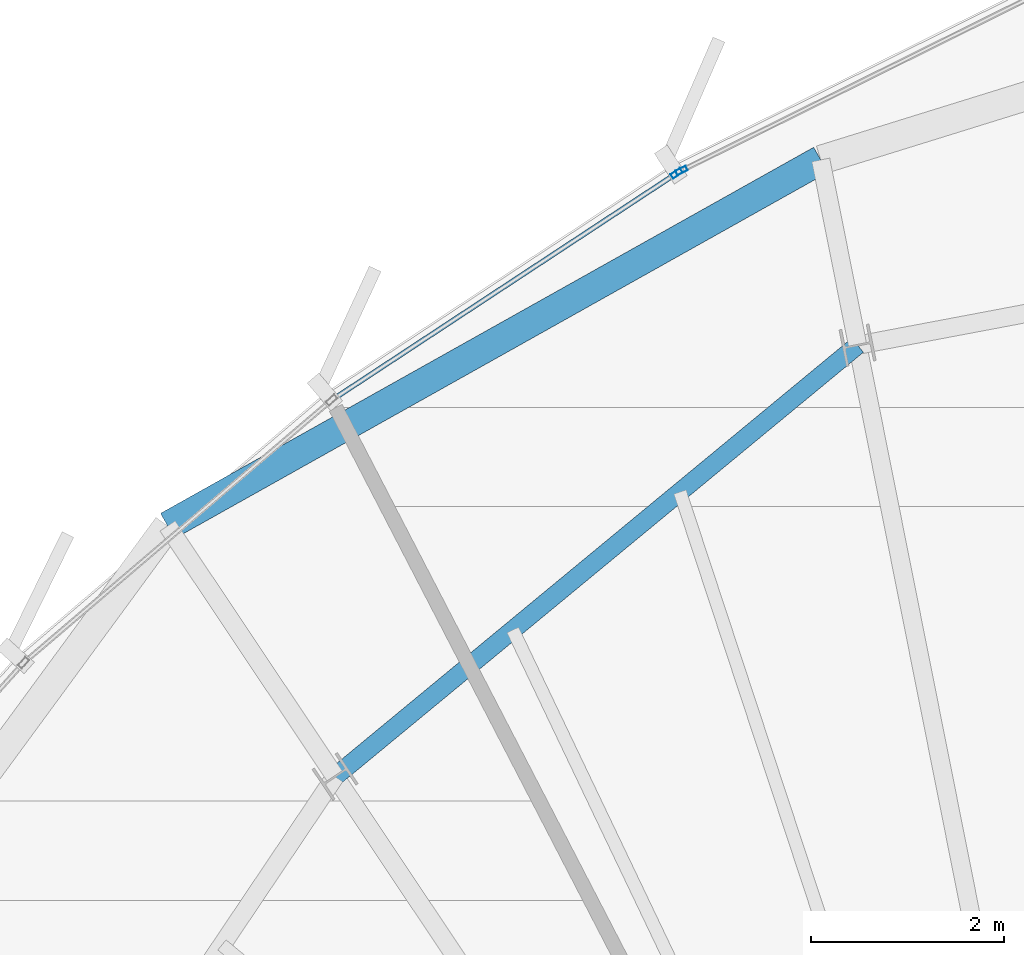
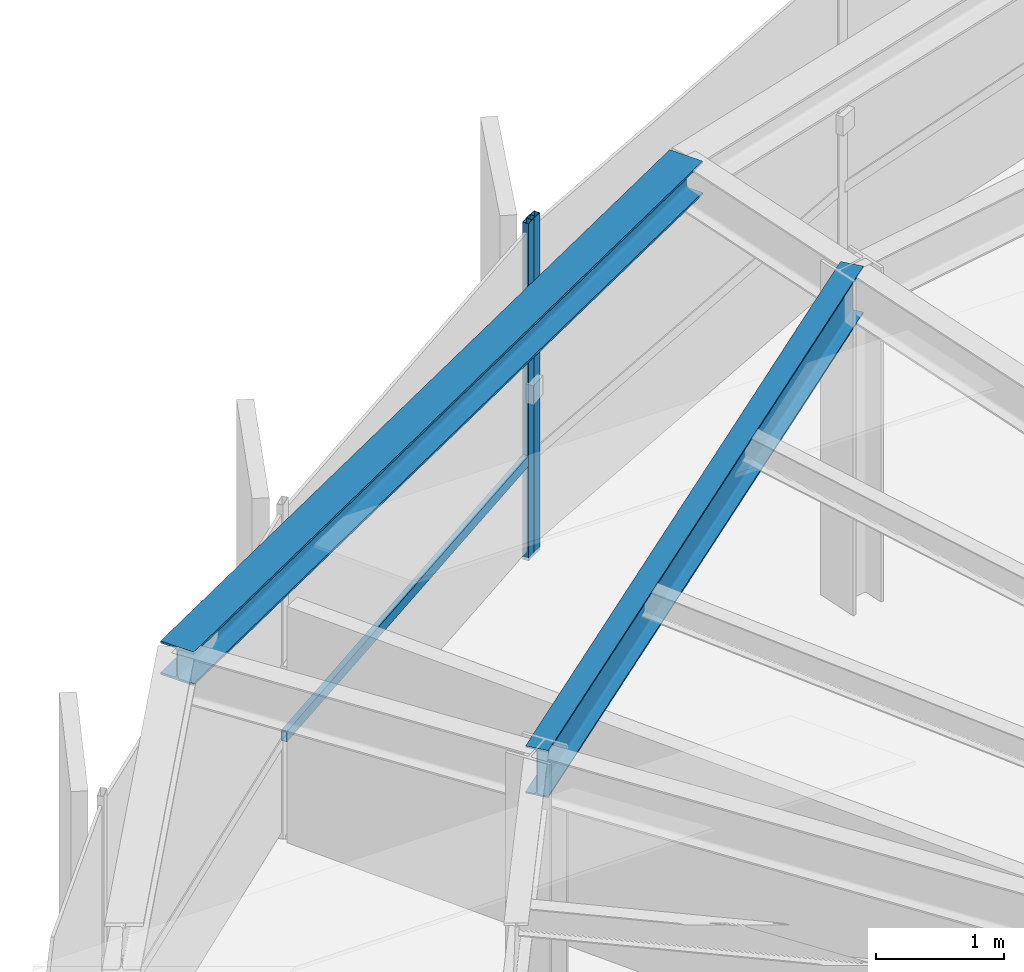
# One storey, part 21 of 35: 3 members, 2 beams, 2 elements without a shape of their own.
"""IFC4 building model written with IfcOpenShell, lengths in metres."""

from ifc_helpers import new_model, si_unit, direction, frame, origin, origin_2d, place, context, subcontext, project, spatial, hollow_rectangle, i_section, extrude, source, transform, mapped, material, layer, layer_set, material_profile, profile_set, type_object, element, aggregate, save


model = new_model("IFC4")

# Units and contexts
model_context = context("Model", 3, precision=1e-05, world=origin(), true_north=direction((0.0, 1.0)))
body_context = subcontext(model_context, "Body", "Model", "MODEL_VIEW")
ifc_project = project(units=[si_unit("LENGTHUNIT", "METRE"), si_unit("AREAUNIT", "SQUARE_METRE"), si_unit("VOLUMEUNIT", "CUBIC_METRE"), si_unit("PLANEANGLEUNIT", "RADIAN"), si_unit("MASSUNIT", "GRAM", prefix="KILO"), si_unit("THERMODYNAMICTEMPERATUREUNIT", "KELVIN")], contexts=[model_context])

# Site, building, storey
site_placement = place(None, origin())
site = spatial("IfcSite", under=ifc_project, at=site_placement, CompositionType="ELEMENT")
building_placement = place(site_placement, origin())
building = spatial("IfcBuilding", under=site, at=building_placement, Name="Kethvar Cultural Tower", CompositionType="ELEMENT")
storey_placement = place(building_placement, frame((0.0, 0.0, 245.64990234375)))
storey = spatial("IfcBuildingStorey", under=building, at=storey_placement, Name="L64", CompositionType="ELEMENT", Elevation=245.64990234375)

# Beams
ifc_material_1 = material(Name="Steel S355J2", Category="steel")
ifc_material_profile_1 = material_profile(ifc_material_1, i_section(OverallWidth=0.18994140625, OverallDepth=0.449951171875, WebThickness=0.009521484375, FlangeThickness=0.0146484375, FilletRadius=0.02099609375, at=origin_2d()), Name="Steel S355J2 — IPE450")
ifc_profile_set_1 = profile_set([ifc_material_profile_1], Name="Steel S355J2 — IPE450")
beam_type_1 = type_object("IfcBeamType", Name="BM-IPE450", PredefinedType="BEAM", material=ifc_profile_set_1)
shared_shape_1 = source(origin(), body_context, "Body", "SweptSolid", [
    extrude(i_section(OverallWidth=0.18994140625, OverallDepth=0.449951171875, WebThickness=0.009521484375, FlangeThickness=0.0146484375, FilletRadius=0.02099609375, at=origin_2d()), origin(), (0.0, 0.0, 1.0), 7.03271484375),
])
beam_1_placement = place(storey_placement, frame((43.23291015625, 45.732421875, 2.983154296875), z_axis=(-0.771161072103, -0.636640087391, 0.0), x_axis=(0.636640087391, -0.771161072103, 0.0)))
element("IfcBeam", 1, at=beam_1_placement, inside=storey, type_object=beam_type_1, Name="L64 Column Ring Tie Beam CR-05", PredefinedType="BEAM", context=body_context, shape_type="MappedRepresentation", body=[
    mapped(shared_shape_1, transform((0.0, 0.0, 0.0), scale=1.0)),
])
ifc_material_profile_2 = material_profile(ifc_material_1, i_section(OverallWidth=0.300048828125, OverallDepth=0.320068359375, WebThickness=0.011474609375, FlangeThickness=0.0205078125, FilletRadius=0.027099609375, at=origin_2d()), Name="Steel S355J2 — HEB320")
ifc_profile_set_2 = profile_set([ifc_material_profile_2], Name="Steel S355J2 — HEB320")
beam_type_2 = type_object("IfcBeamType", Name="BM-SP320", PredefinedType="SPANDREL", material=ifc_profile_set_2)
shared_shape_2 = source(origin(), body_context, "Body", "SweptSolid", [
    extrude(i_section(OverallWidth=0.300048828125, OverallDepth=0.320068359375, WebThickness=0.011474609375, FlangeThickness=0.0205078125, FilletRadius=0.027099609375, at=origin_2d()), origin(), (0.0, 0.0, 1.0), 7.771240234375),
])
beam_2_placement = place(storey_placement, frame((42.850341796875, 47.656005859375, 3.048095703125), z_axis=(-0.872304510242, -0.48896302663, 0.0), x_axis=(0.48896302663, -0.872304510242, 0.0)))
element("IfcBeam", 2, at=beam_2_placement, inside=storey, type_object=beam_type_2, Name="L64 Perimeter Spandrel Beam SP-05", PredefinedType="SPANDREL", context=body_context, shape_type="MappedRepresentation", body=[
    mapped(shared_shape_2, transform((0.0, 0.0, 0.0), scale=1.0)),
])

# Curtain wall, member
ifc_material_2 = material(Name="Aluminium 6063-T6", Category="aluminium")
ifc_layer = layer(ifc_material_2, 0.179931640625, Name="Aluminium 6063-T6", Category="aluminium")
ifc_layer_set = layer_set([ifc_layer], Name="Aluminium 6063-T6 (180 mm)")
curtain_wall_type = type_object("IfcCurtainWallType", Name="CW-SYS-05-Z56", PredefinedType="NOTDEFINED", material=ifc_layer_set)
curtain_wall_1_placement = place(storey_placement, origin())
curtain_wall_1 = element("IfcCurtainWall", 3, at=curtain_wall_1_placement, inside=storey, type_object=curtain_wall_type, Name="L64 Curtain Wall Run 01", PredefinedType="NOTDEFINED")
ifc_material_profile_3 = material_profile(ifc_material_2, hollow_rectangle(XDim=0.054931640625, YDim=0.1201171875, WallThickness=0.00390625, at=origin_2d()), Name="Aluminium 6063-T6 — RHS120x55x4")
ifc_profile_set_3 = profile_set([ifc_material_profile_3], Name="Aluminium 6063-T6 — RHS120x55x4")
member_type_1 = type_object("IfcMemberType", Name="CW-SYS-05-Z56-MUL", PredefinedType="MULLION", material=ifc_profile_set_3)
shared_shape_3 = source(origin(), body_context, "Body", "SweptSolid", [
    extrude(hollow_rectangle(XDim=0.054931640625, YDim=0.1201171875, WallThickness=0.00390625, at=origin_2d()), origin(), (0.0, 0.0, 1.0), 3.210205078125),
])
member_1_placement = place(storey_placement, frame((41.4052734375, 47.54541015625, 0.0), z_axis=(0.0, 0.0, 1.0), x_axis=(0.44440066716, -0.89582813476, 0.0)))
member_1 = element("IfcMember", 4, at=member_1_placement, type_object=member_type_1, Name="CW-L64-R01 Mullion 7", PredefinedType="MULLION", context=body_context, shape_type="MappedRepresentation", body=[
    mapped(shared_shape_3, transform((0.0, 0.0, 0.0), scale=1.0)),
])
aggregate(curtain_wall_1, [member_1])

# Curtain wall, members
curtain_wall_2_placement = place(storey_placement, origin())
curtain_wall_2 = element("IfcCurtainWall", 5, at=curtain_wall_2_placement, inside=storey, type_object=curtain_wall_type, Name="L64 Curtain Wall Run 02", PredefinedType="NOTDEFINED")
member_2_placement = place(storey_placement, frame((41.35400390625, 47.515869140625, 0.0), z_axis=(0.0, 0.0, 1.0), x_axis=(0.549416621964, -0.835548547668, 0.0)))
member_2 = element("IfcMember", 6, at=member_2_placement, type_object=member_type_1, Name="CW-L64-R02 Mullion 1", PredefinedType="MULLION", context=body_context, shape_type="MappedRepresentation", body=[
    mapped(shared_shape_3, transform((0.0, 0.0, 0.0), scale=1.0)),
])
ifc_material_profile_4 = material_profile(ifc_material_2, hollow_rectangle(XDim=0.050048828125, YDim=0.10009765625, WallThickness=0.00390625, at=origin_2d()), Name="Aluminium 6063-T6 — RHS100x50x4")
ifc_profile_set_4 = profile_set([ifc_material_profile_4], Name="Aluminium 6063-T6 — RHS100x50x4")
member_type_2 = type_object("IfcMemberType", Name="CW-SYS-05-Z56-TRN", PredefinedType="USERDEFINED", material=ifc_profile_set_4)
shared_shape_4 = source(origin(), body_context, "Body", "SweptSolid", [
    extrude(hollow_rectangle(XDim=0.050048828125, YDim=0.10009765625, WallThickness=0.00390625, at=origin_2d()), origin(), (0.0, 0.0, 1.0), 4.252197265625),
])
member_3_placement = place(storey_placement, frame((41.3505859375, 47.513916015625, 0.9501953125), z_axis=(-0.835514195914, -0.549468860287, 0.0), x_axis=(0.549468860287, -0.835514195914, 0.0)))
member_3 = element("IfcMember", 7, at=member_3_placement, type_object=member_type_2, Name="CW-L64-R02 Transom 1", ObjectType="TRANSOM", PredefinedType="USERDEFINED", context=body_context, shape_type="MappedRepresentation", body=[
    mapped(shared_shape_4, transform((0.0, 0.0, 0.0), scale=1.0)),
])
aggregate(curtain_wall_2, [member_2, member_3])

save(model, "model.ifc")
